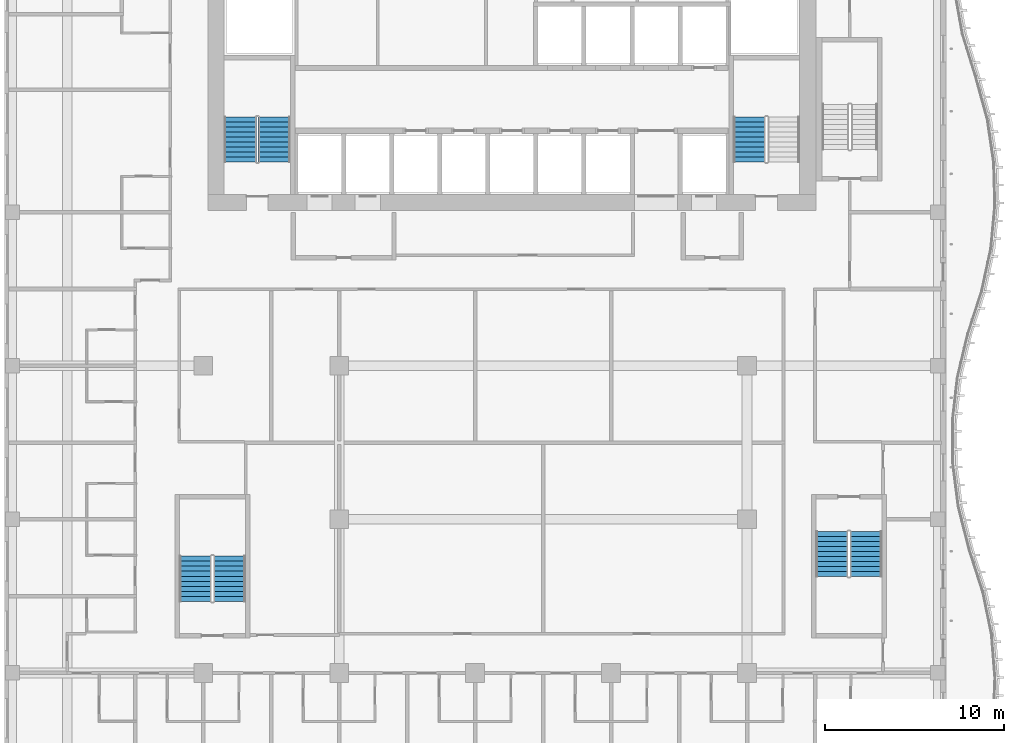
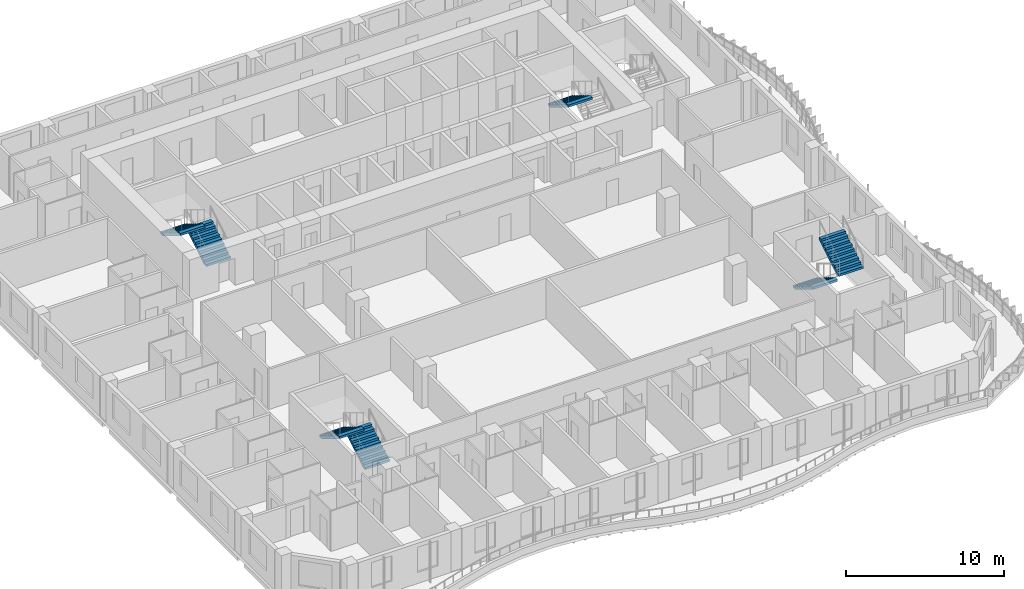
# One storey, part 12 of 22: 7 stair flights, 4 elements without a shape of their own.
"""IFC4 building model written with IfcOpenShell, lengths in metres."""

from ifc_helpers import new_model, si_unit, direction, frame, origin, place, context, subcontext, project, spatial, triangles, source, transform, mapped, material, type_object, element, aggregate, save


model = new_model("IFC4")

# Units and contexts
model_context = context("Model", 3, precision=1e-05, world=origin(), true_north=direction((0.0, 1.0)))
body_context = subcontext(model_context, "Body", "Model", "MODEL_VIEW")
ifc_project = project(units=[si_unit("LENGTHUNIT", "METRE"), si_unit("AREAUNIT", "SQUARE_METRE"), si_unit("VOLUMEUNIT", "CUBIC_METRE"), si_unit("PLANEANGLEUNIT", "RADIAN"), si_unit("MASSUNIT", "GRAM", prefix="KILO")], contexts=[model_context])

# Site, building, storey
site_placement = place(None, origin())
site = spatial("IfcSite", under=ifc_project, at=site_placement, CompositionType="ELEMENT")
building_placement = place(site_placement, origin())
building = spatial("IfcBuilding", under=site, at=building_placement, Name="Kilnfold Tower and Market Hall", CompositionType="ELEMENT")
storey_placement = place(building_placement, frame((0.0, 0.0, 171.89990234375)))
storey = spatial("IfcBuildingStorey", under=building, at=storey_placement, Name="L40", CompositionType="ELEMENT", Elevation=171.89990234375)

# Stair, stair flights
ifc_material_1 = material(Name="Concrete C40/50", Category="concrete")
stair_type = type_object("IfcStairType", Name="CORE STAIR 1800", PredefinedType="HALF_TURN_STAIR", material=ifc_material_1)
stair_1_placement = place(storey_placement, origin())
stair_1 = element("IfcStair", 1, at=stair_1_placement, inside=storey, type_object=stair_type, Name="L40 ST1", PredefinedType="HALF_TURN_STAIR")
ifc_material_2 = material(Name="Concrete C40/50", Category="concrete")
stair_flight_type = type_object("IfcStairFlightType", Name="CORE STAIR FLIGHT 1800", PredefinedType="STRAIGHT", material=ifc_material_2)
shared_shape = source(origin(), body_context, "Body", "Tessellation", [
    triangles([(0.0, 0.89990234375, 0.0), (0.0, 0.78759765625, 0.0), (0.0, 0.675048828125, 0.0), (0.0, 0.5625, 0.0), (0.0, 0.449951171875, 0.0), (0.0, 0.33740234375, 0.0), (0.0, 0.22509765625, 0.0), (0.0, 0.112548828125, 0.0), (0.0, 0.0, 0.0), (0.0, -0.112548828125, 0.0), (0.0, -0.22509765625, 0.0), (0.0, -0.33740234375, 0.0), (0.0, -0.449951171875, 0.0), (0.0, -0.5625, 0.0), (0.0, -0.675048828125, 0.0), (0.0, -0.78759765625, 0.0), (0.0, -0.89990234375, 0.0), (0.0, 0.89990234375, 0.169921875), (0.0, 0.78759765625, 0.169921875), (0.0, 0.675048828125, 0.169921875), (0.0, 0.5625, 0.169921875), (0.0, 0.449951171875, 0.169921875), (0.0, 0.33740234375, 0.169921875), (0.0, 0.22509765625, 0.169921875), (0.0, 0.112548828125, 0.169921875), (0.0, 0.0, 0.169921875), (0.0, -0.112548828125, 0.169921875), (0.0, -0.22509765625, 0.169921875), (0.0, -0.33740234375, 0.169921875), (0.0, -0.449951171875, 0.169921875), (0.0, -0.5625, 0.169921875), (0.0, -0.675048828125, 0.169921875), (0.0, -0.78759765625, 0.169921875), (0.0, -0.89990234375, 0.169921875), (0.280029296875, 0.89990234375, 0.169921875), (0.280029296875, 0.78759765625, 0.169921875), (0.280029296875, 0.675048828125, 0.169921875), (0.280029296875, 0.5625, 0.169921875), (0.280029296875, 0.449951171875, 0.169921875), (0.280029296875, 0.33740234375, 0.169921875), (0.280029296875, 0.22509765625, 0.169921875), (0.280029296875, 0.112548828125, 0.169921875), (0.280029296875, 0.0, 0.169921875), (0.280029296875, -0.112548828125, 0.169921875), (0.280029296875, -0.22509765625, 0.169921875), (0.280029296875, -0.33740234375, 0.169921875), (0.280029296875, -0.449951171875, 0.169921875), (0.280029296875, -0.5625, 0.169921875), (0.280029296875, -0.675048828125, 0.169921875), (0.280029296875, -0.78759765625, 0.169921875), (0.280029296875, -0.89990234375, 0.169921875), (0.280029296875, 0.89990234375, 0.340087890625), (0.280029296875, 0.78759765625, 0.340087890625), (0.280029296875, 0.675048828125, 0.340087890625), (0.280029296875, 0.5625, 0.340087890625), (0.280029296875, 0.449951171875, 0.340087890625), (0.280029296875, 0.33740234375, 0.340087890625), (0.280029296875, 0.22509765625, 0.340087890625), (0.280029296875, 0.112548828125, 0.340087890625), (0.280029296875, 0.0, 0.340087890625), (0.280029296875, -0.112548828125, 0.340087890625), (0.280029296875, -0.22509765625, 0.340087890625), (0.280029296875, -0.33740234375, 0.340087890625), (0.280029296875, -0.449951171875, 0.340087890625), (0.280029296875, -0.5625, 0.340087890625), (0.280029296875, -0.675048828125, 0.340087890625), (0.280029296875, -0.78759765625, 0.340087890625), (0.280029296875, -0.89990234375, 0.340087890625), (0.56005859375, 0.89990234375, 0.340087890625), (0.56005859375, 0.78759765625, 0.340087890625), (0.56005859375, 0.675048828125, 0.340087890625), (0.56005859375, 0.5625, 0.340087890625), (0.56005859375, 0.449951171875, 0.340087890625), (0.56005859375, 0.33740234375, 0.340087890625), (0.56005859375, 0.22509765625, 0.340087890625), (0.56005859375, 0.112548828125, 0.340087890625), (0.56005859375, 0.0, 0.340087890625), (0.56005859375, -0.112548828125, 0.340087890625), (0.56005859375, -0.22509765625, 0.340087890625), (0.56005859375, -0.33740234375, 0.340087890625), (0.56005859375, -0.449951171875, 0.340087890625), (0.56005859375, -0.5625, 0.340087890625), (0.56005859375, -0.675048828125, 0.340087890625), (0.56005859375, -0.78759765625, 0.340087890625), (0.56005859375, -0.89990234375, 0.340087890625), (0.56005859375, 0.89990234375, 0.510009765625), (0.56005859375, 0.78759765625, 0.510009765625), (0.56005859375, 0.675048828125, 0.510009765625), (0.56005859375, 0.5625, 0.510009765625), (0.56005859375, 0.449951171875, 0.510009765625), (0.56005859375, 0.33740234375, 0.510009765625), (0.56005859375, 0.22509765625, 0.510009765625), (0.56005859375, 0.112548828125, 0.510009765625), (0.56005859375, 0.0, 0.510009765625), (0.56005859375, -0.112548828125, 0.510009765625), (0.56005859375, -0.22509765625, 0.510009765625), (0.56005859375, -0.33740234375, 0.510009765625), (0.56005859375, -0.449951171875, 0.510009765625), (0.56005859375, -0.5625, 0.510009765625), (0.56005859375, -0.675048828125, 0.510009765625), (0.56005859375, -0.78759765625, 0.510009765625), (0.56005859375, -0.89990234375, 0.510009765625), (0.840087890625, 0.89990234375, 0.510009765625), (0.840087890625, 0.78759765625, 0.510009765625), (0.840087890625, 0.675048828125, 0.510009765625), (0.840087890625, 0.5625, 0.510009765625), (0.840087890625, 0.449951171875, 0.510009765625), (0.840087890625, 0.33740234375, 0.510009765625), (0.840087890625, 0.22509765625, 0.510009765625), (0.840087890625, 0.112548828125, 0.510009765625), (0.840087890625, 0.0, 0.510009765625), (0.840087890625, -0.112548828125, 0.510009765625), (0.840087890625, -0.22509765625, 0.510009765625), (0.840087890625, -0.33740234375, 0.510009765625), (0.840087890625, -0.449951171875, 0.510009765625), (0.840087890625, -0.5625, 0.510009765625), (0.840087890625, -0.675048828125, 0.510009765625), (0.840087890625, -0.78759765625, 0.510009765625), (0.840087890625, -0.89990234375, 0.510009765625), (0.840087890625, 0.89990234375, 0.679931640625), (0.840087890625, 0.78759765625, 0.679931640625), (0.840087890625, 0.675048828125, 0.679931640625), (0.840087890625, 0.5625, 0.679931640625), (0.840087890625, 0.449951171875, 0.679931640625), (0.840087890625, 0.33740234375, 0.679931640625), (0.840087890625, 0.22509765625, 0.679931640625), (0.840087890625, 0.112548828125, 0.679931640625), (0.840087890625, 0.0, 0.679931640625), (0.840087890625, -0.112548828125, 0.679931640625), (0.840087890625, -0.22509765625, 0.679931640625), (0.840087890625, -0.33740234375, 0.679931640625), (0.840087890625, -0.449951171875, 0.679931640625), (0.840087890625, -0.5625, 0.679931640625), (0.840087890625, -0.675048828125, 0.679931640625), (0.840087890625, -0.78759765625, 0.679931640625), (0.840087890625, -0.89990234375, 0.679931640625), (1.1201171875, 0.89990234375, 0.679931640625), (1.1201171875, 0.78759765625, 0.679931640625), (1.1201171875, 0.675048828125, 0.679931640625), (1.1201171875, 0.5625, 0.679931640625), (1.1201171875, 0.449951171875, 0.679931640625), (1.1201171875, 0.33740234375, 0.679931640625), (1.1201171875, 0.22509765625, 0.679931640625), (1.1201171875, 0.112548828125, 0.679931640625), (1.1201171875, 0.0, 0.679931640625), (1.1201171875, -0.112548828125, 0.679931640625), (1.1201171875, -0.22509765625, 0.679931640625), (1.1201171875, -0.33740234375, 0.679931640625), (1.1201171875, -0.449951171875, 0.679931640625), (1.1201171875, -0.5625, 0.679931640625), (1.1201171875, -0.675048828125, 0.679931640625), (1.1201171875, -0.78759765625, 0.679931640625), (1.1201171875, -0.89990234375, 0.679931640625), (1.1201171875, 0.89990234375, 0.85009765625), (1.1201171875, 0.78759765625, 0.85009765625), (1.1201171875, 0.675048828125, 0.85009765625), (1.1201171875, 0.5625, 0.85009765625), (1.1201171875, 0.449951171875, 0.85009765625), (1.1201171875, 0.33740234375, 0.85009765625), (1.1201171875, 0.22509765625, 0.85009765625), (1.1201171875, 0.112548828125, 0.85009765625), (1.1201171875, 0.0, 0.85009765625), (1.1201171875, -0.112548828125, 0.85009765625), (1.1201171875, -0.22509765625, 0.85009765625), (1.1201171875, -0.33740234375, 0.85009765625), (1.1201171875, -0.449951171875, 0.85009765625), (1.1201171875, -0.5625, 0.85009765625), (1.1201171875, -0.675048828125, 0.85009765625), (1.1201171875, -0.78759765625, 0.85009765625), (1.1201171875, -0.89990234375, 0.85009765625), (1.39990234375, 0.89990234375, 0.85009765625), (1.39990234375, 0.78759765625, 0.85009765625), (1.39990234375, 0.675048828125, 0.85009765625), (1.39990234375, 0.5625, 0.85009765625), (1.39990234375, 0.449951171875, 0.85009765625), (1.39990234375, 0.33740234375, 0.85009765625), (1.39990234375, 0.22509765625, 0.85009765625), (1.39990234375, 0.112548828125, 0.85009765625), (1.39990234375, 0.0, 0.85009765625), (1.39990234375, -0.112548828125, 0.85009765625), (1.39990234375, -0.22509765625, 0.85009765625), (1.39990234375, -0.33740234375, 0.85009765625), (1.39990234375, -0.449951171875, 0.85009765625), (1.39990234375, -0.5625, 0.85009765625), (1.39990234375, -0.675048828125, 0.85009765625), (1.39990234375, -0.78759765625, 0.85009765625), (1.39990234375, -0.89990234375, 0.85009765625), (1.39990234375, 0.89990234375, 1.02001953125), (1.39990234375, 0.78759765625, 1.02001953125), (1.39990234375, 0.675048828125, 1.02001953125), (1.39990234375, 0.5625, 1.02001953125), (1.39990234375, 0.449951171875, 1.02001953125), (1.39990234375, 0.33740234375, 1.02001953125), (1.39990234375, 0.22509765625, 1.02001953125), (1.39990234375, 0.112548828125, 1.02001953125), (1.39990234375, 0.0, 1.02001953125), (1.39990234375, -0.112548828125, 1.02001953125), (1.39990234375, -0.22509765625, 1.02001953125), (1.39990234375, -0.33740234375, 1.02001953125), (1.39990234375, -0.449951171875, 1.02001953125), (1.39990234375, -0.5625, 1.02001953125), (1.39990234375, -0.675048828125, 1.02001953125), (1.39990234375, -0.78759765625, 1.02001953125), (1.39990234375, -0.89990234375, 1.02001953125), (1.679931640625, 0.89990234375, 1.02001953125), (1.679931640625, 0.78759765625, 1.02001953125), (1.679931640625, 0.675048828125, 1.02001953125), (1.679931640625, 0.5625, 1.02001953125), (1.679931640625, 0.449951171875, 1.02001953125), (1.679931640625, 0.33740234375, 1.02001953125), (1.679931640625, 0.22509765625, 1.02001953125), (1.679931640625, 0.112548828125, 1.02001953125), (1.679931640625, 0.0, 1.02001953125), (1.679931640625, -0.112548828125, 1.02001953125), (1.679931640625, -0.22509765625, 1.02001953125), (1.679931640625, -0.33740234375, 1.02001953125), (1.679931640625, -0.449951171875, 1.02001953125), (1.679931640625, -0.5625, 1.02001953125), (1.679931640625, -0.675048828125, 1.02001953125), (1.679931640625, -0.78759765625, 1.02001953125), (1.679931640625, -0.89990234375, 1.02001953125), (1.679931640625, 0.89990234375, 1.18994140625), (1.679931640625, 0.78759765625, 1.18994140625), (1.679931640625, 0.675048828125, 1.18994140625), (1.679931640625, 0.5625, 1.18994140625), (1.679931640625, 0.449951171875, 1.18994140625), (1.679931640625, 0.33740234375, 1.18994140625), (1.679931640625, 0.22509765625, 1.18994140625), (1.679931640625, 0.112548828125, 1.18994140625), (1.679931640625, 0.0, 1.18994140625), (1.679931640625, -0.112548828125, 1.18994140625), (1.679931640625, -0.22509765625, 1.18994140625), (1.679931640625, -0.33740234375, 1.18994140625), (1.679931640625, -0.449951171875, 1.18994140625), (1.679931640625, -0.5625, 1.18994140625), (1.679931640625, -0.675048828125, 1.18994140625), (1.679931640625, -0.78759765625, 1.18994140625), (1.679931640625, -0.89990234375, 1.18994140625), (1.9599609375, 0.89990234375, 1.18994140625), (1.9599609375, 0.78759765625, 1.18994140625), (1.9599609375, 0.675048828125, 1.18994140625), (1.9599609375, 0.5625, 1.18994140625), (1.9599609375, 0.449951171875, 1.18994140625), (1.9599609375, 0.33740234375, 1.18994140625), (1.9599609375, 0.22509765625, 1.18994140625), (1.9599609375, 0.112548828125, 1.18994140625), (1.9599609375, 0.0, 1.18994140625), (1.9599609375, -0.112548828125, 1.18994140625), (1.9599609375, -0.22509765625, 1.18994140625), (1.9599609375, -0.33740234375, 1.18994140625), (1.9599609375, -0.449951171875, 1.18994140625), (1.9599609375, -0.5625, 1.18994140625), (1.9599609375, -0.675048828125, 1.18994140625), (1.9599609375, -0.78759765625, 1.18994140625), (1.9599609375, -0.89990234375, 1.18994140625), (1.9599609375, 0.89990234375, 1.360107421875), (1.9599609375, 0.78759765625, 1.360107421875), (1.9599609375, 0.675048828125, 1.360107421875), (1.9599609375, 0.5625, 1.360107421875), (1.9599609375, 0.449951171875, 1.360107421875), (1.9599609375, 0.33740234375, 1.360107421875), (1.9599609375, 0.22509765625, 1.360107421875), (1.9599609375, 0.112548828125, 1.360107421875), (1.9599609375, 0.0, 1.360107421875), (1.9599609375, -0.112548828125, 1.360107421875), (1.9599609375, -0.22509765625, 1.360107421875), (1.9599609375, -0.33740234375, 1.360107421875), (1.9599609375, -0.449951171875, 1.360107421875), (1.9599609375, -0.5625, 1.360107421875), (1.9599609375, -0.675048828125, 1.360107421875), (1.9599609375, -0.78759765625, 1.360107421875), (1.9599609375, -0.89990234375, 1.360107421875), (2.239990234375, 0.89990234375, 1.360107421875), (2.239990234375, 0.78759765625, 1.360107421875), (2.239990234375, 0.675048828125, 1.360107421875), (2.239990234375, 0.5625, 1.360107421875), (2.239990234375, 0.449951171875, 1.360107421875), (2.239990234375, 0.33740234375, 1.360107421875), (2.239990234375, 0.22509765625, 1.360107421875), (2.239990234375, 0.112548828125, 1.360107421875), (2.239990234375, 0.0, 1.360107421875), (2.239990234375, -0.112548828125, 1.360107421875), (2.239990234375, -0.22509765625, 1.360107421875), (2.239990234375, -0.33740234375, 1.360107421875), (2.239990234375, -0.449951171875, 1.360107421875), (2.239990234375, -0.5625, 1.360107421875), (2.239990234375, -0.675048828125, 1.360107421875), (2.239990234375, -0.78759765625, 1.360107421875), (2.239990234375, -0.89990234375, 1.360107421875), (2.239990234375, 0.89990234375, 1.530029296875), (2.239990234375, 0.78759765625, 1.530029296875), (2.239990234375, 0.675048828125, 1.530029296875), (2.239990234375, 0.5625, 1.530029296875), (2.239990234375, 0.449951171875, 1.530029296875), (2.239990234375, 0.33740234375, 1.530029296875), (2.239990234375, 0.22509765625, 1.530029296875), (2.239990234375, 0.112548828125, 1.530029296875), (2.239990234375, 0.0, 1.530029296875), (2.239990234375, -0.112548828125, 1.530029296875), (2.239990234375, -0.22509765625, 1.530029296875), (2.239990234375, -0.33740234375, 1.530029296875), (2.239990234375, -0.449951171875, 1.530029296875), (2.239990234375, -0.5625, 1.530029296875), (2.239990234375, -0.675048828125, 1.530029296875), (2.239990234375, -0.78759765625, 1.530029296875), (2.239990234375, -0.89990234375, 1.530029296875), (2.52001953125, 0.89990234375, 1.530029296875), (2.52001953125, 0.78759765625, 1.530029296875), (2.52001953125, 0.675048828125, 1.530029296875), (2.52001953125, 0.5625, 1.530029296875), (2.52001953125, 0.449951171875, 1.530029296875), (2.52001953125, 0.33740234375, 1.530029296875), (2.52001953125, 0.22509765625, 1.530029296875), (2.52001953125, 0.112548828125, 1.530029296875), (2.52001953125, 0.0, 1.530029296875), (2.52001953125, -0.112548828125, 1.530029296875), (2.52001953125, -0.22509765625, 1.530029296875), (2.52001953125, -0.33740234375, 1.530029296875), (2.52001953125, -0.449951171875, 1.530029296875), (2.52001953125, -0.5625, 1.530029296875), (2.52001953125, -0.675048828125, 1.530029296875), (2.52001953125, -0.78759765625, 1.530029296875), (2.52001953125, -0.89990234375, 1.530029296875), (2.52001953125, 0.89990234375, 1.354736328125), (2.52001953125, 0.78759765625, 1.354736328125), (2.52001953125, 0.675048828125, 1.354736328125), (2.52001953125, 0.5625, 1.354736328125), (2.52001953125, 0.449951171875, 1.354736328125), (2.52001953125, 0.33740234375, 1.354736328125), (2.52001953125, 0.22509765625, 1.354736328125), (2.52001953125, 0.112548828125, 1.354736328125), (2.52001953125, 0.0, 1.354736328125), (2.52001953125, -0.112548828125, 1.354736328125), (2.52001953125, -0.22509765625, 1.354736328125), (2.52001953125, -0.33740234375, 1.354736328125), (2.52001953125, -0.449951171875, 1.354736328125), (2.52001953125, -0.5625, 1.354736328125), (2.52001953125, -0.675048828125, 1.354736328125), (2.52001953125, -0.78759765625, 1.354736328125), (2.52001953125, -0.89990234375, 1.354736328125), (0.288818359375, 0.89990234375, 0.0), (0.288818359375, 0.78759765625, 0.0), (0.288818359375, 0.675048828125, 0.0), (0.288818359375, 0.5625, 0.0), (0.288818359375, 0.449951171875, 0.0), (0.288818359375, 0.33740234375, 0.0), (0.288818359375, 0.22509765625, 0.0), (0.288818359375, 0.112548828125, 0.0), (0.288818359375, 0.0, 0.0), (0.288818359375, -0.112548828125, 0.0), (0.288818359375, -0.22509765625, 0.0), (0.288818359375, -0.33740234375, 0.0), (0.288818359375, -0.449951171875, 0.0), (0.288818359375, -0.5625, 0.0), (0.288818359375, -0.675048828125, 0.0), (0.288818359375, -0.78759765625, 0.0), (0.288818359375, -0.89990234375, 0.0)], [[1, 324, 341], [17, 357, 340], [324, 290, 307], [340, 323, 306], [324, 273, 290], [340, 306, 289], [324, 256, 273], [340, 289, 272], [324, 239, 256], [340, 272, 255], [239, 205, 222], [255, 238, 221], [324, 205, 239], [340, 255, 221], [205, 171, 188], [221, 204, 187], [324, 171, 205], [340, 221, 187], [171, 137, 154], [187, 170, 153], [324, 137, 171], [340, 187, 153], [137, 103, 120], [153, 136, 119], [324, 103, 137], [340, 153, 119], [103, 69, 86], [119, 102, 85], [324, 69, 103], [340, 119, 85], [69, 35, 52], [85, 68, 51], [324, 35, 69], [340, 85, 51], [1, 35, 324], [17, 340, 51], [35, 1, 18], [51, 34, 17], [1, 19, 18], [1, 2, 19], [2, 20, 19], [2, 3, 20], [3, 21, 20], [3, 4, 21], [4, 22, 21], [4, 5, 22], [5, 23, 22], [5, 6, 23], [6, 24, 23], [6, 7, 24], [7, 25, 24], [7, 8, 25], [8, 26, 25], [8, 9, 26], [9, 27, 26], [9, 10, 27], [10, 28, 27], [10, 11, 28], [11, 29, 28], [11, 12, 29], [12, 30, 29], [12, 13, 30], [13, 31, 30], [13, 14, 31], [14, 32, 31], [14, 15, 32], [15, 33, 32], [15, 16, 33], [16, 34, 33], [16, 17, 34], [18, 36, 35], [18, 19, 36], [19, 37, 36], [19, 20, 37], [20, 38, 37], [20, 21, 38], [21, 39, 38], [21, 22, 39], [22, 40, 39], [22, 23, 40], [23, 41, 40], [23, 24, 41], [24, 42, 41], [24, 25, 42], [25, 43, 42], [25, 26, 43], [26, 44, 43], [26, 27, 44], [27, 45, 44], [27, 28, 45], [28, 46, 45], [28, 29, 46], [29, 47, 46], [29, 30, 47], [30, 48, 47], [30, 31, 48], [31, 49, 48], [31, 32, 49], [32, 50, 49], [32, 33, 50], [33, 51, 50], [33, 34, 51], [35, 53, 52], [35, 36, 53], [36, 54, 53], [36, 37, 54], [37, 55, 54], [37, 38, 55], [38, 56, 55], [38, 39, 56], [39, 57, 56], [39, 40, 57], [40, 58, 57], [40, 41, 58], [41, 59, 58], [41, 42, 59], [42, 60, 59], [42, 43, 60], [43, 61, 60], [43, 44, 61], [44, 62, 61], [44, 45, 62], [45, 63, 62], [45, 46, 63], [46, 64, 63], [46, 47, 64], [47, 65, 64], [47, 48, 65], [48, 66, 65], [48, 49, 66], [49, 67, 66], [49, 50, 67], [50, 68, 67], [50, 51, 68], [52, 70, 69], [52, 53, 70], [53, 71, 70], [53, 54, 71], [54, 72, 71], [54, 55, 72], [55, 73, 72], [55, 56, 73], [56, 74, 73], [56, 57, 74], [57, 75, 74], [57, 58, 75], [58, 76, 75], [58, 59, 76], [59, 77, 76], [59, 60, 77], [60, 78, 77], [60, 61, 78], [61, 79, 78], [61, 62, 79], [62, 80, 79], [62, 63, 80], [63, 81, 80], [63, 64, 81], [64, 82, 81], [64, 65, 82], [65, 83, 82], [65, 66, 83], [66, 84, 83], [66, 67, 84], [67, 85, 84], [67, 68, 85], [69, 87, 86], [69, 70, 87], [70, 88, 87], [70, 71, 88], [71, 89, 88], [71, 72, 89], [72, 90, 89], [72, 73, 90], [73, 91, 90], [73, 74, 91], [74, 92, 91], [74, 75, 92], [75, 93, 92], [75, 76, 93], [76, 94, 93], [76, 77, 94], [77, 95, 94], [77, 78, 95], [78, 96, 95], [78, 79, 96], [79, 97, 96], [79, 80, 97], [80, 98, 97], [80, 81, 98], [81, 99, 98], [81, 82, 99], [82, 100, 99], [82, 83, 100], [83, 101, 100], [83, 84, 101], [84, 102, 101], [84, 85, 102], [86, 104, 103], [86, 87, 104], [87, 105, 104], [87, 88, 105], [88, 106, 105], [88, 89, 106], [89, 107, 106], [89, 90, 107], [90, 108, 107], [90, 91, 108], [91, 109, 108], [91, 92, 109], [92, 110, 109], [92, 93, 110], [93, 111, 110], [93, 94, 111], [94, 112, 111], [94, 95, 112], [95, 113, 112], [95, 96, 113], [96, 114, 113], [96, 97, 114], [97, 115, 114], [97, 98, 115], [98, 116, 115], [98, 99, 116], [99, 117, 116], [99, 100, 117], [100, 118, 117], [100, 101, 118], [101, 119, 118], [101, 102, 119], [103, 121, 120], [103, 104, 121], [104, 122, 121], [104, 105, 122], [105, 123, 122], [105, 106, 123], [106, 124, 123], [106, 107, 124], [107, 125, 124], [107, 108, 125], [108, 126, 125], [108, 109, 126], [109, 127, 126], [109, 110, 127], [110, 128, 127], [110, 111, 128], [111, 129, 128], [111, 112, 129], [112, 130, 129], [112, 113, 130], [113, 131, 130], [113, 114, 131], [114, 132, 131], [114, 115, 132], [115, 133, 132], [115, 116, 133], [116, 134, 133], [116, 117, 134], [117, 135, 134], [117, 118, 135], [118, 136, 135], [118, 119, 136], [120, 138, 137], [120, 121, 138], [121, 139, 138], [121, 122, 139], [122, 140, 139], [122, 123, 140], [123, 141, 140], [123, 124, 141], [124, 142, 141], [124, 125, 142], [125, 143, 142], [125, 126, 143], [126, 144, 143], [126, 127, 144], [127, 145, 144], [127, 128, 145], [128, 146, 145], [128, 129, 146], [129, 147, 146], [129, 130, 147], [130, 148, 147], [130, 131, 148], [131, 149, 148], [131, 132, 149], [132, 150, 149], [132, 133, 150], [133, 151, 150], [133, 134, 151], [134, 152, 151], [134, 135, 152], [135, 153, 152], [135, 136, 153], [137, 155, 154], [137, 138, 155], [138, 156, 155], [138, 139, 156], [139, 157, 156], [139, 140, 157], [140, 158, 157], [140, 141, 158], [141, 159, 158], [141, 142, 159], [142, 160, 159], [142, 143, 160], [143, 161, 160], [143, 144, 161], [144, 162, 161], [144, 145, 162], [145, 163, 162], [145, 146, 163], [146, 164, 163], [146, 147, 164], [147, 165, 164], [147, 148, 165], [148, 166, 165], [148, 149, 166], [149, 167, 166], [149, 150, 167], [150, 168, 167], [150, 151, 168], [151, 169, 168], [151, 152, 169], [152, 170, 169], [152, 153, 170], [154, 172, 171], [154, 155, 172], [155, 173, 172], [155, 156, 173], [156, 174, 173], [156, 157, 174], [157, 175, 174], [157, 158, 175], [158, 176, 175], [158, 159, 176], [159, 177, 176], [159, 160, 177], [160, 178, 177], [160, 161, 178], [161, 179, 178], [161, 162, 179], [162, 180, 179], [162, 163, 180], [163, 181, 180], [163, 164, 181], [164, 182, 181], [164, 165, 182], [165, 183, 182], [165, 166, 183], [166, 184, 183], [166, 167, 184], [167, 185, 184], [167, 168, 185], [168, 186, 185], [168, 169, 186], [169, 187, 186], [169, 170, 187], [171, 189, 188], [171, 172, 189], [172, 190, 189], [172, 173, 190], [173, 191, 190], [173, 174, 191], [174, 192, 191], [174, 175, 192], [175, 193, 192], [175, 176, 193], [176, 194, 193], [176, 177, 194], [177, 195, 194], [177, 178, 195], [178, 196, 195], [178, 179, 196], [179, 197, 196], [179, 180, 197], [180, 198, 197], [180, 181, 198], [181, 199, 198], [181, 182, 199], [182, 200, 199], [182, 183, 200], [183, 201, 200], [183, 184, 201], [184, 202, 201], [184, 185, 202], [185, 203, 202], [185, 186, 203], [186, 204, 203], [186, 187, 204], [188, 206, 205], [188, 189, 206], [189, 207, 206], [189, 190, 207], [190, 208, 207], [190, 191, 208], [191, 209, 208], [191, 192, 209], [192, 210, 209], [192, 193, 210], [193, 211, 210], [193, 194, 211], [194, 212, 211], [194, 195, 212], [195, 213, 212], [195, 196, 213], [196, 214, 213], [196, 197, 214], [197, 215, 214], [197, 198, 215], [198, 216, 215], [198, 199, 216], [199, 217, 216], [199, 200, 217], [200, 218, 217], [200, 201, 218], [201, 219, 218], [201, 202, 219], [202, 220, 219], [202, 203, 220], [203, 221, 220], [203, 204, 221], [205, 223, 222], [205, 206, 223], [206, 224, 223], [206, 207, 224], [207, 225, 224], [207, 208, 225], [208, 226, 225], [208, 209, 226], [209, 227, 226], [209, 210, 227], [210, 228, 227], [210, 211, 228], [211, 229, 228], [211, 212, 229], [212, 230, 229], [212, 213, 230], [213, 231, 230], [213, 214, 231], [214, 232, 231], [214, 215, 232], [215, 233, 232], [215, 216, 233], [216, 234, 233], [216, 217, 234], [217, 235, 234], [217, 218, 235], [218, 236, 235], [218, 219, 236], [219, 237, 236], [219, 220, 237], [220, 238, 237], [220, 221, 238], [222, 240, 239], [222, 223, 240], [223, 241, 240], [223, 224, 241], [224, 242, 241], [224, 225, 242], [225, 243, 242], [225, 226, 243], [226, 244, 243], [226, 227, 244], [227, 245, 244], [227, 228, 245], [228, 246, 245], [228, 229, 246], [229, 247, 246], [229, 230, 247], [230, 248, 247], [230, 231, 248], [231, 249, 248], [231, 232, 249], [232, 250, 249], [232, 233, 250], [233, 251, 250], [233, 234, 251], [234, 252, 251], [234, 235, 252], [235, 253, 252], [235, 236, 253], [236, 254, 253], [236, 237, 254], [237, 255, 254], [237, 238, 255], [239, 257, 256], [239, 240, 257], [240, 258, 257], [240, 241, 258], [241, 259, 258], [241, 242, 259], [242, 260, 259], [242, 243, 260], [243, 261, 260], [243, 244, 261], [244, 262, 261], [244, 245, 262], [245, 263, 262], [245, 246, 263], [246, 264, 263], [246, 247, 264], [247, 265, 264], [247, 248, 265], [248, 266, 265], [248, 249, 266], [249, 267, 266], [249, 250, 267], [250, 268, 267], [250, 251, 268], [251, 269, 268], [251, 252, 269], [252, 270, 269], [252, 253, 270], [253, 271, 270], [253, 254, 271], [254, 272, 271], [254, 255, 272], [256, 274, 273], [256, 257, 274], [257, 275, 274], [257, 258, 275], [258, 276, 275], [258, 259, 276], [259, 277, 276], [259, 260, 277], [260, 278, 277], [260, 261, 278], [261, 279, 278], [261, 262, 279], [262, 280, 279], [262, 263, 280], [263, 281, 280], [263, 264, 281], [264, 282, 281], [264, 265, 282], [265, 283, 282], [265, 266, 283], [266, 284, 283], [266, 267, 284], [267, 285, 284], [267, 268, 285], [268, 286, 285], [268, 269, 286], [269, 287, 286], [269, 270, 287], [270, 288, 287], [270, 271, 288], [271, 289, 288], [271, 272, 289], [273, 291, 290], [273, 274, 291], [274, 292, 291], [274, 275, 292], [275, 293, 292], [275, 276, 293], [276, 294, 293], [276, 277, 294], [277, 295, 294], [277, 278, 295], [278, 296, 295], [278, 279, 296], [279, 297, 296], [279, 280, 297], [280, 298, 297], [280, 281, 298], [281, 299, 298], [281, 282, 299], [282, 300, 299], [282, 283, 300], [283, 301, 300], [283, 284, 301], [284, 302, 301], [284, 285, 302], [285, 303, 302], [285, 286, 303], [286, 304, 303], [286, 287, 304], [287, 305, 304], [287, 288, 305], [288, 306, 305], [288, 289, 306], [290, 308, 307], [290, 291, 308], [291, 309, 308], [291, 292, 309], [292, 310, 309], [292, 293, 310], [293, 311, 310], [293, 294, 311], [294, 312, 311], [294, 295, 312], [295, 313, 312], [295, 296, 313], [296, 314, 313], [296, 297, 314], [297, 315, 314], [297, 298, 315], [298, 316, 315], [298, 299, 316], [299, 317, 316], [299, 300, 317], [300, 318, 317], [300, 301, 318], [301, 319, 318], [301, 302, 319], [302, 320, 319], [302, 303, 320], [303, 321, 320], [303, 304, 321], [304, 322, 321], [304, 305, 322], [305, 323, 322], [305, 306, 323], [307, 325, 324], [307, 308, 325], [308, 326, 325], [308, 309, 326], [309, 327, 326], [309, 310, 327], [310, 328, 327], [310, 311, 328], [311, 329, 328], [311, 312, 329], [312, 330, 329], [312, 313, 330], [313, 331, 330], [313, 314, 331], [314, 332, 331], [314, 315, 332], [315, 333, 332], [315, 316, 333], [316, 334, 333], [316, 317, 334], [317, 335, 334], [317, 318, 335], [318, 336, 335], [318, 319, 336], [319, 337, 336], [319, 320, 337], [320, 338, 337], [320, 321, 338], [321, 339, 338], [321, 322, 339], [322, 340, 339], [322, 323, 340], [324, 342, 341], [324, 325, 342], [325, 343, 342], [325, 326, 343], [326, 344, 343], [326, 327, 344], [327, 345, 344], [327, 328, 345], [328, 346, 345], [328, 329, 346], [329, 347, 346], [329, 330, 347], [330, 348, 347], [330, 331, 348], [331, 349, 348], [331, 332, 349], [332, 350, 349], [332, 333, 350], [333, 351, 350], [333, 334, 351], [334, 352, 351], [334, 335, 352], [335, 353, 352], [335, 336, 353], [336, 354, 353], [336, 337, 354], [337, 355, 354], [337, 338, 355], [338, 356, 355], [338, 339, 356], [339, 357, 356], [339, 340, 357], [341, 2, 1], [341, 342, 2], [342, 3, 2], [342, 343, 3], [343, 4, 3], [343, 344, 4], [344, 5, 4], [344, 345, 5], [345, 6, 5], [345, 346, 6], [346, 7, 6], [346, 347, 7], [347, 8, 7], [347, 348, 8], [348, 9, 8], [348, 349, 9], [349, 10, 9], [349, 350, 10], [350, 11, 10], [350, 351, 11], [351, 12, 11], [351, 352, 12], [352, 13, 12], [352, 353, 13], [353, 14, 13], [353, 354, 14], [354, 15, 14], [354, 355, 15], [355, 16, 15], [355, 356, 16], [356, 17, 16], [356, 357, 17]], closed=True),
])
stair_flight_1_placement = place(storey_placement, frame((-12.199951171875, 10.800048828125, 0.0), z_axis=(0.0, 0.0, 1.0), x_axis=(0.0, 1.0, 0.0)))
stair_flight_1 = element("IfcStairFlight", 2, at=stair_flight_1_placement, type_object=stair_flight_type, Name="ST1 flight 1", NumberOfRisers=10, NumberOfTreads=9, PredefinedType="STRAIGHT", RiserHeight=0.17, TreadLength=0.28, context=body_context, shape_type="MappedRepresentation", body=[
    mapped(shared_shape, transform((0.0, 0.0, 0.0))),
])
stair_flight_2_placement = place(storey_placement, frame((-14.10009765625, 13.320068359375, 1.7001953125), z_axis=(0.0, 0.0, 1.0), x_axis=(0.0, -1.0, 0.0)))
stair_flight_2 = element("IfcStairFlight", 3, at=stair_flight_2_placement, type_object=stair_flight_type, Name="ST1 flight 2", NumberOfRisers=10, NumberOfTreads=9, PredefinedType="STRAIGHT", RiserHeight=0.17, TreadLength=0.28, context=body_context, shape_type="MappedRepresentation", body=[
    mapped(shared_shape, transform((0.0, 0.0, 0.0))),
])
aggregate(stair_1, [stair_flight_1, stair_flight_2])

# Stair, stair flight
stair_2_placement = place(storey_placement, origin())
stair_2 = element("IfcStair", 4, at=stair_2_placement, inside=storey, type_object=stair_type, Name="L40 ST2", PredefinedType="HALF_TURN_STAIR")
stair_flight_3_placement = place(storey_placement, frame((14.300048828125, 13.320068359375, 1.7001953125), z_axis=(0.0, 0.0, 1.0), x_axis=(0.0, -1.0, 0.0)))
stair_flight_3 = element("IfcStairFlight", 5, at=stair_flight_3_placement, type_object=stair_flight_type, Name="ST2 flight 2", NumberOfRisers=10, NumberOfTreads=9, PredefinedType="STRAIGHT", RiserHeight=0.17, TreadLength=0.28, context=body_context, shape_type="MappedRepresentation", body=[
    mapped(shared_shape, transform((0.0, 0.0, 0.0))),
])
aggregate(stair_2, [stair_flight_3])

# Stair, stair flights
stair_3_placement = place(storey_placement, origin())
stair_3 = element("IfcStair", 6, at=stair_3_placement, inside=storey, type_object=stair_type, Name="L40 ST3", PredefinedType="HALF_TURN_STAIR")
stair_flight_4_placement = place(storey_placement, frame((-14.699951171875, -13.699951171875, 0.0), z_axis=(0.0, 0.0, 1.0), x_axis=(0.0, 1.0, 0.0)))
stair_flight_4 = element("IfcStairFlight", 7, at=stair_flight_4_placement, type_object=stair_flight_type, Name="ST3 flight 1", NumberOfRisers=10, NumberOfTreads=9, PredefinedType="STRAIGHT", RiserHeight=0.17, TreadLength=0.28, context=body_context, shape_type="MappedRepresentation", body=[
    mapped(shared_shape, transform((0.0, 0.0, 0.0))),
])
stair_flight_5_placement = place(storey_placement, frame((-16.60009765625, -11.179931640625, 1.7001953125), z_axis=(0.0, 0.0, 1.0), x_axis=(0.0, -1.0, 0.0)))
stair_flight_5 = element("IfcStairFlight", 8, at=stair_flight_5_placement, type_object=stair_flight_type, Name="ST3 flight 2", NumberOfRisers=10, NumberOfTreads=9, PredefinedType="STRAIGHT", RiserHeight=0.17, TreadLength=0.28, context=body_context, shape_type="MappedRepresentation", body=[
    mapped(shared_shape, transform((0.0, 0.0, 0.0))),
])
aggregate(stair_3, [stair_flight_4, stair_flight_5])

stair_4_placement = place(storey_placement, origin())
stair_4 = element("IfcStair", 9, at=stair_4_placement, inside=storey, type_object=stair_type, Name="L40 ST4", PredefinedType="HALF_TURN_STAIR")
stair_flight_6_placement = place(storey_placement, frame((18.89990234375, -9.800048828125, 0.0), z_axis=(0.0, 0.0, 1.0), x_axis=(0.0, -1.0, 0.0)))
stair_flight_6 = element("IfcStairFlight", 10, at=stair_flight_6_placement, type_object=stair_flight_type, Name="ST4 flight 1", NumberOfRisers=10, NumberOfTreads=9, PredefinedType="STRAIGHT", RiserHeight=0.17, TreadLength=0.28, context=body_context, shape_type="MappedRepresentation", body=[
    mapped(shared_shape, transform((0.0, 0.0, 0.0))),
])
stair_flight_7_placement = place(storey_placement, frame((20.800048828125, -12.320068359375, 1.7001953125), z_axis=(0.0, 0.0, 1.0), x_axis=(0.0, 1.0, 0.0)))
stair_flight_7 = element("IfcStairFlight", 11, at=stair_flight_7_placement, type_object=stair_flight_type, Name="ST4 flight 2", NumberOfRisers=10, NumberOfTreads=9, PredefinedType="STRAIGHT", RiserHeight=0.17, TreadLength=0.28, context=body_context, shape_type="MappedRepresentation", body=[
    mapped(shared_shape, transform((0.0, 0.0, 0.0))),
])
aggregate(stair_4, [stair_flight_6, stair_flight_7])

save(model, "model.ifc")
